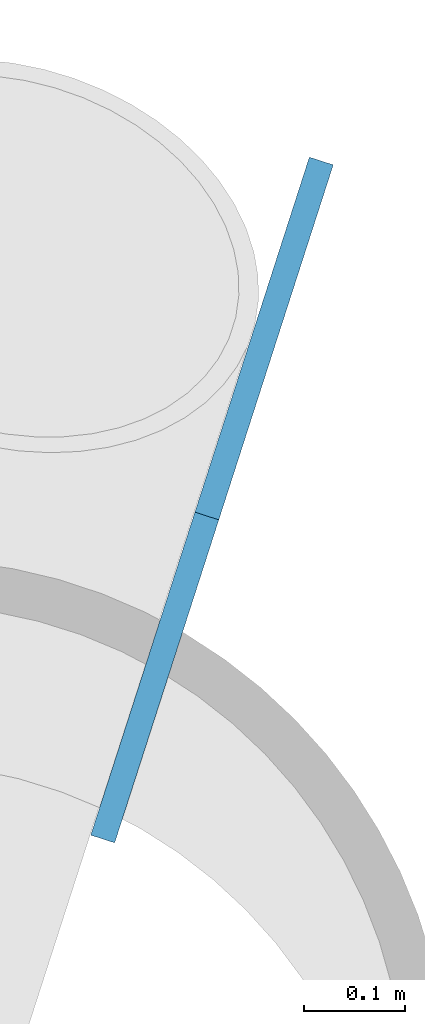
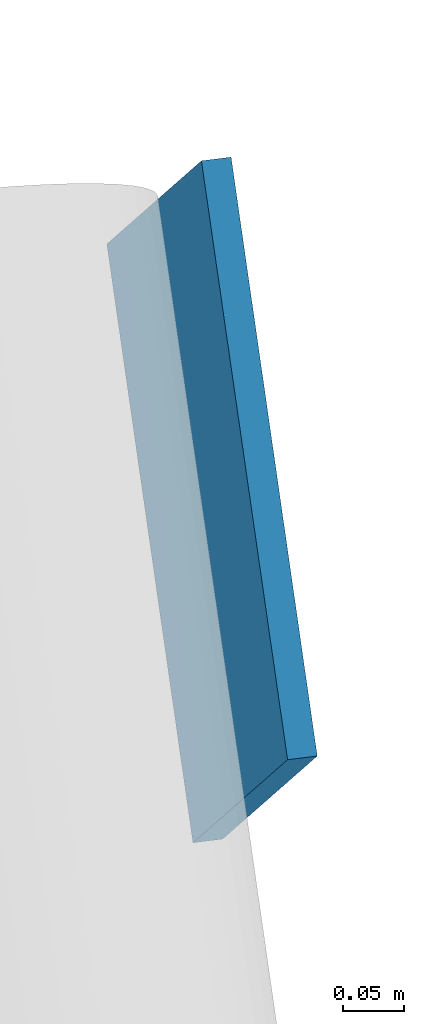
# One storey, part 10 of 23: 1 discrete accessory.
"""IFC4 building model written with IfcOpenShell, lengths in metres."""

from ifc_helpers import new_model, si_unit, direction, frame, origin, origin_2d, place, context, subcontext, project, spatial, rectangle, extrude, material, material_profile, profile_set, type_object, element, save


model = new_model("IFC4")

# Units and contexts
model_context = context("Model", 3, precision=1e-05, world=origin(), true_north=direction((0.0, 1.0)))
body_context = subcontext(model_context, "Body", "Model", "MODEL_VIEW")
ifc_project = project(units=[si_unit("LENGTHUNIT", "METRE"), si_unit("AREAUNIT", "SQUARE_METRE"), si_unit("VOLUMEUNIT", "CUBIC_METRE"), si_unit("PLANEANGLEUNIT", "RADIAN"), si_unit("MASSUNIT", "GRAM", prefix="KILO")], contexts=[model_context])

# Site, building, storey
site_placement = place(None, origin())
site = spatial("IfcSite", under=ifc_project, at=site_placement, CompositionType="ELEMENT")
building_placement = place(site_placement, origin())
building = spatial("IfcBuilding", under=site, at=building_placement, Name="Tarsis Ring Headquarters", CompositionType="ELEMENT")
storey_placement = place(building_placement, frame((0.0, 0.0, 239.39990234375)))
storey = spatial("IfcBuildingStorey", under=building, at=storey_placement, Name="L56", CompositionType="ELEMENT", Elevation=239.39990234375)

# Discrete accessory
ifc_material = material(Name="Structural steel S355", Category="steel")
ifc_material_profile = material_profile(ifc_material, rectangle(XDim=0.02490234375, YDim=0.5, at=origin_2d()), Name="PL 25x500")
ifc_profile_set = profile_set([ifc_material_profile], Name="Structural steel S355")
discrete_accessory_type = type_object("IfcDiscreteAccessoryType", Name="Gusset plate Exo brace 25", PredefinedType="BRACKET", material=ifc_profile_set)
discrete_accessory_placement = place(storey_placement, frame((29.165283203125, -2.898681640625, 7.800048828125), z_axis=(-0.206513576548, -0.640533835533, -0.739640823805), x_axis=(0.951756466412, -0.306854409522, 0.0)))
element("IfcDiscreteAccessory", 1, at=discrete_accessory_placement, inside=storey, type_object=discrete_accessory_type, Name="Gusset plate GP5", PredefinedType="BRACKET", context=body_context, shape_type="SweptSolid", body=[
    extrude(rectangle(XDim=0.02490234375, YDim=0.5, at=origin_2d()), origin(), (0.0, 0.0, 1.0), 0.5),
])

save(model, "model.ifc")
